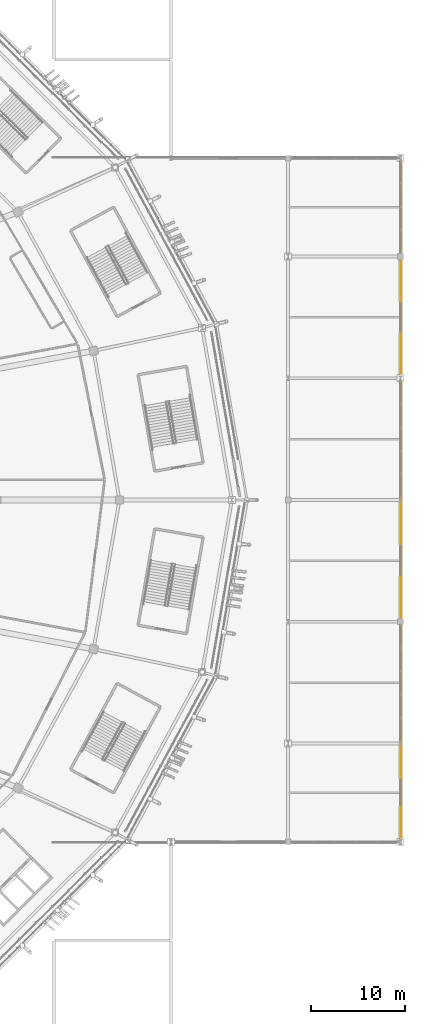
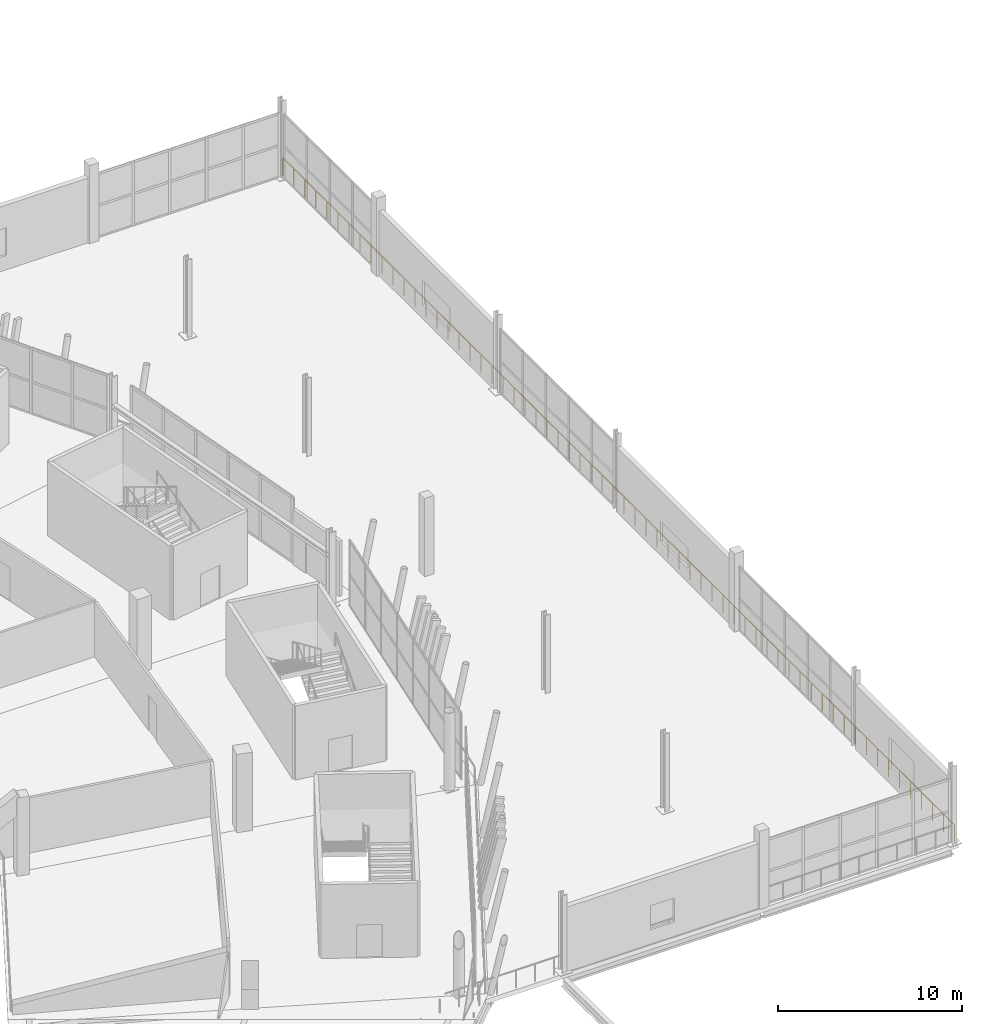
# One storey, part 169 of 178: 1 railing.
"""IFC4 building model written with IfcOpenShell, lengths in metres."""

from ifc_helpers import new_model, si_unit, direction, frame, origin, origin_2d, place, context, subcontext, project, spatial, rectangle, extrude, material, type_object, element, save


model = new_model("IFC4")

# Units and contexts
model_context = context("Model", 3, precision=1e-05, world=origin(), true_north=direction((0.0, 1.0)))
body_context = subcontext(model_context, "Body", "Model", "MODEL_VIEW")
ifc_project = project(units=[si_unit("LENGTHUNIT", "METRE"), si_unit("AREAUNIT", "SQUARE_METRE"), si_unit("VOLUMEUNIT", "CUBIC_METRE"), si_unit("PLANEANGLEUNIT", "RADIAN"), si_unit("MASSUNIT", "GRAM", prefix="KILO")], contexts=[model_context])

# Site, building, storey
site_placement = place(None, origin())
site = spatial("IfcSite", under=ifc_project, at=site_placement, CompositionType="ELEMENT")
building_placement = place(site_placement, origin())
building = spatial("IfcBuilding", under=site, at=building_placement, Name="Zlatoyarsky Gate Stadium", CompositionType="ELEMENT")
storey_placement = place(building_placement, frame((0.0, 0.0, 5.39990234375)))
storey = spatial("IfcBuildingStorey", under=building, at=storey_placement, Name="L01", CompositionType="ELEMENT", Elevation=5.39990234375)

# Railing
ifc_material = material(Name="Powder-coated steel tubular guardrail", Category="steel")
railing_type = type_object("IfcRailingType", Name="CONCOURSE SLAB EDGE GUARDRAIL 1200", PredefinedType="GUARDRAIL", material=ifc_material)
railing_placement = place(storey_placement, frame((222.080078125, 43.419921875, 0.0)))
element("IfcRailing", 1, at=railing_placement, inside=storey, type_object=railing_type, Name="V5_EAST L01 E slab edge guardrail", PredefinedType="GUARDRAIL", context=body_context, shape_type="SweptSolid", body=[
    extrude(rectangle(XDim=0.048095703125, YDim=0.048095703125, at=origin_2d()), frame((0.0, 0.0, 1.17578125), z_axis=(0.0, 1.0, 0.0), x_axis=(-1.0, 0.0, 0.0)), (0.0, 0.0, 1.0), 73.16015625),
    extrude(rectangle(XDim=0.0419921875, YDim=0.0419921875, at=origin_2d()), origin(), (0.0, 0.0, 1.0), 1.15185546875),
    extrude(rectangle(XDim=0.0419921875, YDim=0.0419921875, at=origin_2d()), frame((0.0, 1.199462890625, 0.0)), (0.0, 0.0, 1.0), 1.15185546875),
    extrude(rectangle(XDim=0.0419921875, YDim=0.0419921875, at=origin_2d()), frame((0.0, 2.398681640625, 0.0)), (0.0, 0.0, 1.0), 1.15185546875),
    extrude(rectangle(XDim=0.0419921875, YDim=0.0419921875, at=origin_2d()), frame((0.0, 3.59814453125, 0.0)), (0.0, 0.0, 1.0), 1.15185546875),
    extrude(rectangle(XDim=0.0419921875, YDim=0.0419921875, at=origin_2d()), frame((0.0, 4.79736328125, 0.0)), (0.0, 0.0, 1.0), 1.15185546875),
    extrude(rectangle(XDim=0.0419921875, YDim=0.0419921875, at=origin_2d()), frame((0.0, 5.996826171875, 0.0)), (0.0, 0.0, 1.0), 1.15185546875),
    extrude(rectangle(XDim=0.0419921875, YDim=0.0419921875, at=origin_2d()), frame((0.0, 7.196044921875, 0.0)), (0.0, 0.0, 1.0), 1.15185546875),
    extrude(rectangle(XDim=0.0419921875, YDim=0.0419921875, at=origin_2d()), frame((0.0, 8.3955078125, 0.0)), (0.0, 0.0, 1.0), 1.15185546875),
    extrude(rectangle(XDim=0.0419921875, YDim=0.0419921875, at=origin_2d()), frame((0.0, 9.5947265625, 0.0)), (0.0, 0.0, 1.0), 1.15185546875),
    extrude(rectangle(XDim=0.0419921875, YDim=0.0419921875, at=origin_2d()), frame((0.0, 10.794189453125, 0.0)), (0.0, 0.0, 1.0), 1.15185546875),
    extrude(rectangle(XDim=0.0419921875, YDim=0.0419921875, at=origin_2d()), frame((0.0, 11.993408203125, 0.0)), (0.0, 0.0, 1.0), 1.15185546875),
    extrude(rectangle(XDim=0.0419921875, YDim=0.0419921875, at=origin_2d()), frame((0.0, 13.19287109375, 0.0)), (0.0, 0.0, 1.0), 1.15185546875),
    extrude(rectangle(XDim=0.0419921875, YDim=0.0419921875, at=origin_2d()), frame((0.0, 14.39208984375, 0.0)), (0.0, 0.0, 1.0), 1.15185546875),
    extrude(rectangle(XDim=0.0419921875, YDim=0.0419921875, at=origin_2d()), frame((0.0, 15.591552734375, 0.0)), (0.0, 0.0, 1.0), 1.15185546875),
    extrude(rectangle(XDim=0.0419921875, YDim=0.0419921875, at=origin_2d()), frame((0.0, 16.790771484375, 0.0)), (0.0, 0.0, 1.0), 1.15185546875),
    extrude(rectangle(XDim=0.0419921875, YDim=0.0419921875, at=origin_2d()), frame((0.0, 17.990234375, 0.0)), (0.0, 0.0, 1.0), 1.15185546875),
    extrude(rectangle(XDim=0.0419921875, YDim=0.0419921875, at=origin_2d()), frame((0.0, 19.189453125, 0.0)), (0.0, 0.0, 1.0), 1.15185546875),
    extrude(rectangle(XDim=0.0419921875, YDim=0.0419921875, at=origin_2d()), frame((0.0, 20.388916015625, 0.0)), (0.0, 0.0, 1.0), 1.15185546875),
    extrude(rectangle(XDim=0.0419921875, YDim=0.0419921875, at=origin_2d()), frame((0.0, 21.588134765625, 0.0)), (0.0, 0.0, 1.0), 1.15185546875),
    extrude(rectangle(XDim=0.0419921875, YDim=0.0419921875, at=origin_2d()), frame((0.0, 22.78759765625, 0.0)), (0.0, 0.0, 1.0), 1.15185546875),
    extrude(rectangle(XDim=0.0419921875, YDim=0.0419921875, at=origin_2d()), frame((0.0, 23.98681640625, 0.0)), (0.0, 0.0, 1.0), 1.15185546875),
    extrude(rectangle(XDim=0.0419921875, YDim=0.0419921875, at=origin_2d()), frame((0.0, 25.186279296875, 0.0)), (0.0, 0.0, 1.0), 1.15185546875),
    extrude(rectangle(XDim=0.0419921875, YDim=0.0419921875, at=origin_2d()), frame((0.0, 26.3857421875, 0.0)), (0.0, 0.0, 1.0), 1.15185546875),
    extrude(rectangle(XDim=0.0419921875, YDim=0.0419921875, at=origin_2d()), frame((0.0, 27.5849609375, 0.0)), (0.0, 0.0, 1.0), 1.15185546875),
    extrude(rectangle(XDim=0.0419921875, YDim=0.0419921875, at=origin_2d()), frame((0.0, 28.784423828125, 0.0)), (0.0, 0.0, 1.0), 1.15185546875),
    extrude(rectangle(XDim=0.0419921875, YDim=0.0419921875, at=origin_2d()), frame((0.0, 29.983642578125, 0.0)), (0.0, 0.0, 1.0), 1.15185546875),
    extrude(rectangle(XDim=0.0419921875, YDim=0.0419921875, at=origin_2d()), frame((0.0, 31.18310546875, 0.0)), (0.0, 0.0, 1.0), 1.15185546875),
    extrude(rectangle(XDim=0.0419921875, YDim=0.0419921875, at=origin_2d()), frame((0.0, 32.38232421875, 0.0)), (0.0, 0.0, 1.0), 1.15185546875),
    extrude(rectangle(XDim=0.0419921875, YDim=0.0419921875, at=origin_2d()), frame((0.0, 33.581787109375, 0.0)), (0.0, 0.0, 1.0), 1.15185546875),
    extrude(rectangle(XDim=0.0419921875, YDim=0.0419921875, at=origin_2d()), frame((0.0, 34.781005859375, 0.0)), (0.0, 0.0, 1.0), 1.15185546875),
    extrude(rectangle(XDim=0.0419921875, YDim=0.0419921875, at=origin_2d()), frame((0.0, 35.98046875, 0.0)), (0.0, 0.0, 1.0), 1.15185546875),
    extrude(rectangle(XDim=0.0419921875, YDim=0.0419921875, at=origin_2d()), frame((0.0, 37.1796875, 0.0)), (0.0, 0.0, 1.0), 1.15185546875),
    extrude(rectangle(XDim=0.0419921875, YDim=0.0419921875, at=origin_2d()), frame((0.0, 38.379150390625, 0.0)), (0.0, 0.0, 1.0), 1.15185546875),
    extrude(rectangle(XDim=0.0419921875, YDim=0.0419921875, at=origin_2d()), frame((0.0, 39.578369140625, 0.0)), (0.0, 0.0, 1.0), 1.15185546875),
    extrude(rectangle(XDim=0.0419921875, YDim=0.0419921875, at=origin_2d()), frame((0.0, 40.77783203125, 0.0)), (0.0, 0.0, 1.0), 1.15185546875),
    extrude(rectangle(XDim=0.0419921875, YDim=0.0419921875, at=origin_2d()), frame((0.0, 41.97705078125, 0.0)), (0.0, 0.0, 1.0), 1.15185546875),
    extrude(rectangle(XDim=0.0419921875, YDim=0.0419921875, at=origin_2d()), frame((0.0, 43.176513671875, 0.0)), (0.0, 0.0, 1.0), 1.15185546875),
    extrude(rectangle(XDim=0.0419921875, YDim=0.0419921875, at=origin_2d()), frame((0.0, 44.375732421875, 0.0)), (0.0, 0.0, 1.0), 1.15185546875),
    extrude(rectangle(XDim=0.0419921875, YDim=0.0419921875, at=origin_2d()), frame((0.0, 45.5751953125, 0.0)), (0.0, 0.0, 1.0), 1.15185546875),
    extrude(rectangle(XDim=0.0419921875, YDim=0.0419921875, at=origin_2d()), frame((0.0, 46.7744140625, 0.0)), (0.0, 0.0, 1.0), 1.15185546875),
    extrude(rectangle(XDim=0.0419921875, YDim=0.0419921875, at=origin_2d()), frame((0.0, 47.973876953125, 0.0)), (0.0, 0.0, 1.0), 1.15185546875),
    extrude(rectangle(XDim=0.0419921875, YDim=0.0419921875, at=origin_2d()), frame((0.0, 49.17333984375, 0.0)), (0.0, 0.0, 1.0), 1.15185546875),
    extrude(rectangle(XDim=0.0419921875, YDim=0.0419921875, at=origin_2d()), frame((0.0, 50.37255859375, 0.0)), (0.0, 0.0, 1.0), 1.15185546875),
    extrude(rectangle(XDim=0.0419921875, YDim=0.0419921875, at=origin_2d()), frame((0.0, 51.572021484375, 0.0)), (0.0, 0.0, 1.0), 1.15185546875),
    extrude(rectangle(XDim=0.0419921875, YDim=0.0419921875, at=origin_2d()), frame((0.0, 52.771240234375, 0.0)), (0.0, 0.0, 1.0), 1.15185546875),
    extrude(rectangle(XDim=0.0419921875, YDim=0.0419921875, at=origin_2d()), frame((0.0, 53.970703125, 0.0)), (0.0, 0.0, 1.0), 1.15185546875),
    extrude(rectangle(XDim=0.0419921875, YDim=0.0419921875, at=origin_2d()), frame((0.0, 55.169921875, 0.0)), (0.0, 0.0, 1.0), 1.15185546875),
    extrude(rectangle(XDim=0.0419921875, YDim=0.0419921875, at=origin_2d()), frame((0.0, 56.369384765625, 0.0)), (0.0, 0.0, 1.0), 1.15185546875),
    extrude(rectangle(XDim=0.0419921875, YDim=0.0419921875, at=origin_2d()), frame((0.0, 57.568603515625, 0.0)), (0.0, 0.0, 1.0), 1.15185546875),
    extrude(rectangle(XDim=0.0419921875, YDim=0.0419921875, at=origin_2d()), frame((0.0, 58.76806640625, 0.0)), (0.0, 0.0, 1.0), 1.15185546875),
    extrude(rectangle(XDim=0.0419921875, YDim=0.0419921875, at=origin_2d()), frame((0.0, 59.96728515625, 0.0)), (0.0, 0.0, 1.0), 1.15185546875),
    extrude(rectangle(XDim=0.0419921875, YDim=0.0419921875, at=origin_2d()), frame((0.0, 61.166748046875, 0.0)), (0.0, 0.0, 1.0), 1.15185546875),
    extrude(rectangle(XDim=0.0419921875, YDim=0.0419921875, at=origin_2d()), frame((0.0, 62.365966796875, 0.0)), (0.0, 0.0, 1.0), 1.15185546875),
    extrude(rectangle(XDim=0.0419921875, YDim=0.0419921875, at=origin_2d()), frame((0.0, 63.5654296875, 0.0)), (0.0, 0.0, 1.0), 1.15185546875),
    extrude(rectangle(XDim=0.0419921875, YDim=0.0419921875, at=origin_2d()), frame((0.0, 64.7646484375, 0.0)), (0.0, 0.0, 1.0), 1.15185546875),
    extrude(rectangle(XDim=0.0419921875, YDim=0.0419921875, at=origin_2d()), frame((0.0, 65.964111328125, 0.0)), (0.0, 0.0, 1.0), 1.15185546875),
    extrude(rectangle(XDim=0.0419921875, YDim=0.0419921875, at=origin_2d()), frame((0.0, 67.163330078125, 0.0)), (0.0, 0.0, 1.0), 1.15185546875),
    extrude(rectangle(XDim=0.0419921875, YDim=0.0419921875, at=origin_2d()), frame((0.0, 68.36279296875, 0.0)), (0.0, 0.0, 1.0), 1.15185546875),
    extrude(rectangle(XDim=0.0419921875, YDim=0.0419921875, at=origin_2d()), frame((0.0, 69.56201171875, 0.0)), (0.0, 0.0, 1.0), 1.15185546875),
    extrude(rectangle(XDim=0.0419921875, YDim=0.0419921875, at=origin_2d()), frame((0.0, 70.761474609375, 0.0)), (0.0, 0.0, 1.0), 1.15185546875),
    extrude(rectangle(XDim=0.0419921875, YDim=0.0419921875, at=origin_2d()), frame((0.0, 71.960693359375, 0.0)), (0.0, 0.0, 1.0), 1.15185546875),
    extrude(rectangle(XDim=0.0419921875, YDim=0.0419921875, at=origin_2d()), frame((0.0, 73.16015625, 0.0)), (0.0, 0.0, 1.0), 1.15185546875),
])

save(model, "model.ifc")
